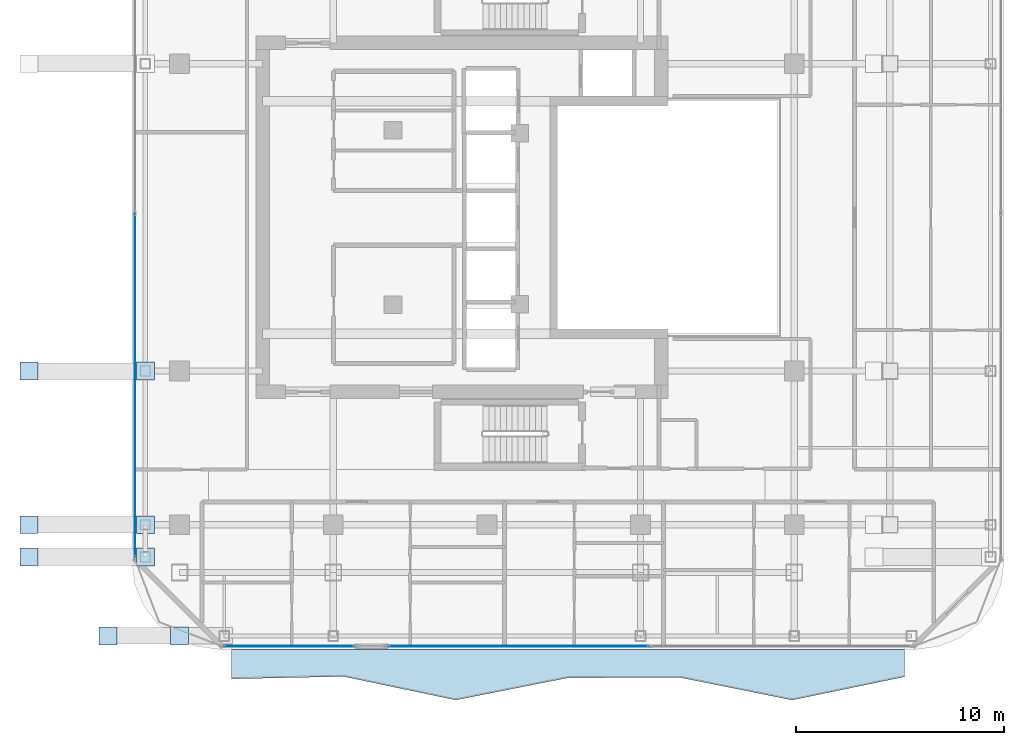
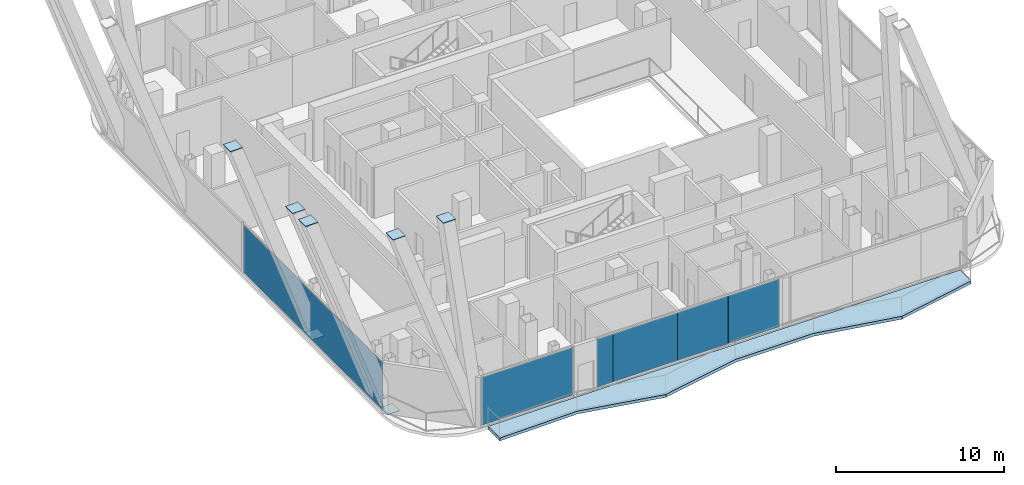
# One storey, part 18 of 27: 14 plates, 1 slab, 3 elements without a shape of their own.
"""IFC4 building model written with IfcOpenShell, lengths in metres."""

from ifc_helpers import new_model, si_unit, direction, frame, origin, origin_2d, place, context, subcontext, project, spatial, polyline, rectangle, outline, extrude, material, layer, layer_set, type_object, element, aggregate, save


model = new_model("IFC4")

# Units and contexts
model_context = context("Model", 3, precision=1e-05, world=origin(), true_north=direction((0.0, 1.0)))
body_context = subcontext(model_context, "Body", "Model", "MODEL_VIEW")
ifc_project = project(units=[si_unit("LENGTHUNIT", "METRE"), si_unit("AREAUNIT", "SQUARE_METRE"), si_unit("VOLUMEUNIT", "CUBIC_METRE"), si_unit("PLANEANGLEUNIT", "RADIAN"), si_unit("MASSUNIT", "GRAM", prefix="KILO")], contexts=[model_context])

# Site, building, storey
site_placement = place(None, origin())
site = spatial("IfcSite", under=ifc_project, at=site_placement, CompositionType="ELEMENT")
building_placement = place(site_placement, origin())
building = spatial("IfcBuilding", under=site, at=building_placement, Name="Khorvyn Point Tower", CompositionType="ELEMENT")
storey_placement = place(building_placement, frame((0.0, 0.0, 270.300048828125)))
storey = spatial("IfcBuildingStorey", under=building, at=storey_placement, Name="L66", CompositionType="ELEMENT", Elevation=270.300048828125)

# Slab
ifc_material_1 = material(Name="Concrete C40/50", Category="concrete")
ifc_layer_1 = layer(ifc_material_1, 0.2099609375)
ifc_layer_set_1 = layer_set([ifc_layer_1], Name="Concrete C40/50 Rippling Balcony Slab 210")
slab_type = type_object("IfcSlabType", Name="Concrete C40/50 Rippling Balcony Slab 210", PredefinedType="USERDEFINED", material=ifc_layer_set_1)
slab_placement = place(storey_placement, frame((0.0, 0.0, -0.2099609375)))
element("IfcSlab", 1, at=slab_placement, inside=storey, type_object=slab_type, Name="L66 South Sinusoidal Rippling Balcony", ObjectType="BALCONY", PredefinedType="USERDEFINED", context=body_context, shape_type="SweptSolid", body=[
    extrude(outline(polyline([(-12.300048828125, -20.800048828125), (-12.300048828125, -22.22265625), (-6.89990234375, -22.10693359375), (-1.5, -23.241455078125), (3.89990234375, -22.171630859375), (9.300048828125, -22.155029296875), (14.699951171875, -23.2421875), (20.10009765625, -22.12255859375), (20.10009765625, -20.800048828125), (-12.300048828125, -20.800048828125)])), origin(), (0.0, 0.0, 1.0), 0.2099609375),
])

# Plates
ifc_material_2 = material(Name="Steel S450", Category="steel")
ifc_layer_2 = layer(ifc_material_2, 0.031982421875)
ifc_layer_set_2 = layer_set([ifc_layer_2], Name="Steel S450 Exoskeleton End Cap Plate 32")
plate_type_1 = type_object("IfcPlateType", Name="Steel S450 Exoskeleton End Cap Plate 32", PredefinedType="USERDEFINED", material=ifc_layer_set_2)
for number, where, z_axis, x_axis, name in (
    (2, (-18.25341796875, -20.14990234375, 15.59326171875), (0.0, 0.0, 1.0), (1.0, 0.0, 0.0), "Plate"),
    (3, (-16.446533203125, -16.35009765625, -0.025390625), (0.0, 0.0, 1.0), (1.0, 0.0, 0.0), "Plate"),
    (4, (-22.053466796875, -16.35009765625, 15.59326171875), (0.0, 0.0, 1.0), (1.0, 0.0, 0.0), "Plate"),
    (5, (-14.801513671875, -20.14990234375, 15.59375), (0.0, 0.0, 1.0), (1.0, 0.0, 0.0), "Plate"),
    (6, (-16.446533203125, -14.800048828125, -0.025390625), (0.0, 0.0, 1.0), (1.0, 0.0, 0.0), "Plate"),
    (7, (-22.053466796875, -14.800048828125, 15.59326171875), (0.0, 0.0, 1.0), (1.0, 0.0, 0.0), "Plate"),
    (8, (-16.446533203125, -7.39990234375, -0.025390625), (0.0, 0.0, 1.0), (1.0, 0.0, 0.0), "Plate"),
    (9, (-22.053466796875, -7.39990234375, 15.59326171875), (0.0, 0.0, 1.0), (1.0, 0.0, 0.0), "Plate"),
):
    element("IfcPlate", number, at=place(storey_placement, frame(where, z_axis=z_axis, x_axis=x_axis)), inside=storey, type_object=plate_type_1, Name=name, ObjectType="GUSSET", PredefinedType="USERDEFINED", context=body_context, shape_type="SweptSolid", body=[
        extrude(rectangle(XDim=0.860107421875, YDim=0.860107421875, at=origin_2d()), origin(), (0.0, 0.0, 1.0), 0.031982421875),
    ])

# Curtain wall, plates
ifc_material_3 = material(Name="Anodised aluminium 6063-T6 and laminated Low-E glass", Category="aluminium")
ifc_layer_3 = layer(ifc_material_3, 0.18994140625)
ifc_layer_set_3 = layer_set([ifc_layer_3], Name="Stick-Built High-Wind Curtain Wall CW-SYS-04")
curtain_wall_type = type_object("IfcCurtainWallType", Name="Stick-Built High-Wind Curtain Wall CW-SYS-04", PredefinedType="NOTDEFINED", material=ifc_layer_set_3)
curtain_wall_1_placement = place(storey_placement, origin())
curtain_wall_1 = element("IfcCurtainWall", 10, at=curtain_wall_1_placement, inside=storey, type_object=curtain_wall_type, Name="Curtain Wall", PredefinedType="NOTDEFINED")
ifc_material_4 = material(Name="Laminated Low-E insulated glass", Category="glass")
ifc_layer_4 = layer(ifc_material_4, 0.028076171875)
ifc_layer_set_4 = layer_set([ifc_layer_4], Name="Tempered Low-E Vision Glazing Panel CW-GL28")
plate_type_2 = type_object("IfcPlateType", Name="Tempered Low-E Vision Glazing Panel CW-GL28", PredefinedType="CURTAIN_PANEL", material=ifc_layer_set_4)
plate_1_placement = place(storey_placement, frame((-4.19091796875, -20.64990234375, 0.099853515625), z_axis=(0.0, 0.0, 1.0), x_axis=(-1.0, 0.0, 0.0)))
plate_1 = element("IfcPlate", 11, at=plate_1_placement, type_object=plate_type_2, Name="Panel", PredefinedType="CURTAIN_PANEL", context=body_context, shape_type="SweptSolid", body=[
    extrude(rectangle(XDim=1.095947265625, YDim=0.028076171875, at=origin_2d()), origin(), (0.0, 0.0, 1.0), 3.47998046875),
])
plate_2_placement = place(storey_placement, frame((-1.426513671875, -20.64990234375, 0.099853515625), z_axis=(0.0, 0.0, 1.0), x_axis=(-1.0, 0.0, 0.0)))
plate_2 = element("IfcPlate", 12, at=plate_2_placement, type_object=plate_type_2, Name="Panel", PredefinedType="CURTAIN_PANEL", context=body_context, shape_type="SweptSolid", body=[
    extrude(rectangle(XDim=4.4169921875, YDim=0.028076171875, at=origin_2d()), origin(), (0.0, 0.0, 1.0), 3.47998046875),
])
plate_3_placement = place(storey_placement, frame((2.531005859375, -20.64990234375, 0.099853515625), z_axis=(0.0, 0.0, 1.0), x_axis=(-1.0, 0.0, 0.0)))
plate_3 = element("IfcPlate", 13, at=plate_3_placement, type_object=plate_type_2, Name="Panel", PredefinedType="CURTAIN_PANEL", context=body_context, shape_type="SweptSolid", body=[
    extrude(rectangle(XDim=3.48193359375, YDim=0.028076171875, at=origin_2d()), origin(), (0.0, 0.0, 1.0), 3.47998046875),
])
plate_4_placement = place(storey_placement, frame((6.039794921875, -20.64990234375, 0.099853515625), z_axis=(0.0, 0.0, 1.0), x_axis=(-1.0, 0.0, 0.0)))
plate_4 = element("IfcPlate", 14, at=plate_4_placement, type_object=plate_type_2, Name="Panel", PredefinedType="CURTAIN_PANEL", context=body_context, shape_type="SweptSolid", body=[
    extrude(rectangle(XDim=3.51953125, YDim=0.028076171875, at=origin_2d()), origin(), (0.0, 0.0, 1.0), 3.47998046875),
])
aggregate(curtain_wall_1, [plate_1, plate_2, plate_3, plate_4])

# Curtain wall, plate
curtain_wall_2_placement = place(storey_placement, origin())
curtain_wall_2 = element("IfcCurtainWall", 15, at=curtain_wall_2_placement, inside=storey, type_object=curtain_wall_type, Name="Curtain Wall", PredefinedType="NOTDEFINED")
plate_5_placement = place(storey_placement, frame((-9.5166015625, -20.64990234375, 0.099853515625), z_axis=(0.0, 0.0, 1.0), x_axis=(-1.0, 0.0, 0.0)))
plate_5 = element("IfcPlate", 16, at=plate_5_placement, type_object=plate_type_2, Name="Panel", PredefinedType="CURTAIN_PANEL", context=body_context, shape_type="SweptSolid", body=[
    extrude(rectangle(XDim=6.26708984375, YDim=0.028076171875, at=origin_2d()), origin(), (0.0, 0.0, 1.0), 3.47998046875),
])
aggregate(curtain_wall_2, [plate_5])

curtain_wall_3_placement = place(storey_placement, origin())
curtain_wall_3 = element("IfcCurtainWall", 17, at=curtain_wall_3_placement, inside=storey, type_object=curtain_wall_type, Name="Curtain Wall", PredefinedType="NOTDEFINED")
plate_6_placement = place(storey_placement, frame((-16.949951171875, -8.10009765625, 0.099853515625), z_axis=(0.0, 0.0, 1.0), x_axis=(0.0, 1.0, 0.0)))
plate_6 = element("IfcPlate", 18, at=plate_6_placement, type_object=plate_type_2, Name="Panel", PredefinedType="CURTAIN_PANEL", context=body_context, shape_type="SweptSolid", body=[
    extrude(rectangle(XDim=16.5, YDim=0.028076171875, at=origin_2d()), origin(), (0.0, 0.0, 1.0), 3.47998046875),
])
aggregate(curtain_wall_3, [plate_6])

save(model, "model.ifc")
